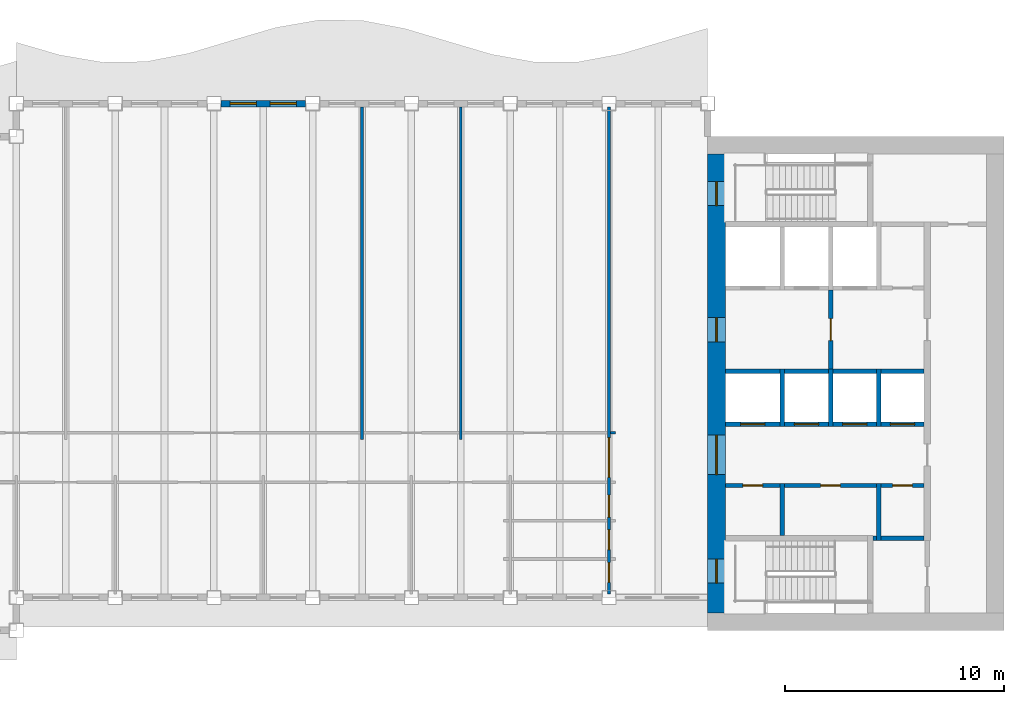
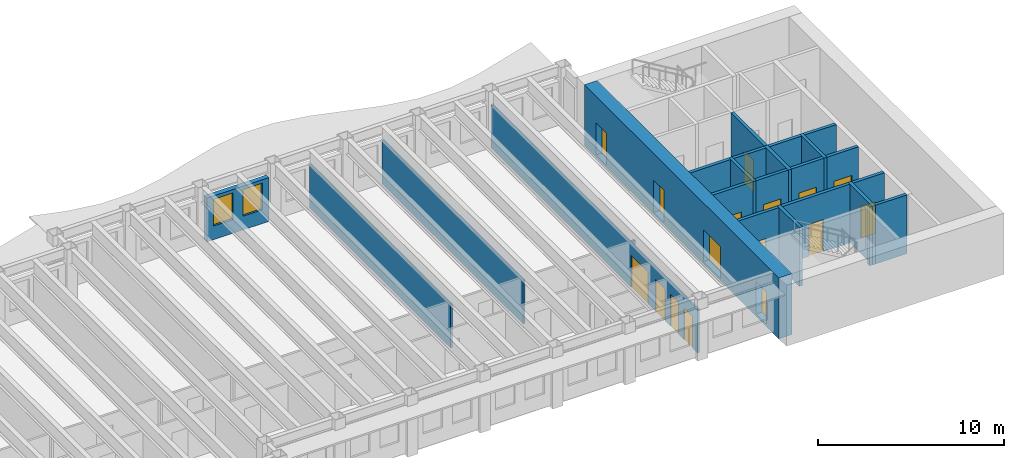
# One storey, part 5 of 12: 25 walls, 16 doors, 2 windows, 18 openings.
"""IFC4 building model written with IfcOpenShell, lengths in metres."""

from ifc_helpers import new_model, si_unit, direction, frame, frame_2d, origin, place, context, subcontext, project, spatial, rectangle, extrude, material, layer, layer_set, type_object, element, fill, save


model = new_model("IFC4")

# Units and contexts
model_context = context("Model", 3, precision=1e-05, world=origin(), true_north=direction((0.0, 1.0)))
body_context = subcontext(model_context, "Body", "Model", "MODEL_VIEW")
ifc_project = project(units=[si_unit("LENGTHUNIT", "METRE"), si_unit("AREAUNIT", "SQUARE_METRE"), si_unit("VOLUMEUNIT", "CUBIC_METRE"), si_unit("PLANEANGLEUNIT", "RADIAN"), si_unit("MASSUNIT", "GRAM", prefix="KILO")], contexts=[model_context])

# Site, building, storey
site_placement = place(None, origin())
site = spatial("IfcSite", under=ifc_project, at=site_placement, CompositionType="ELEMENT")
building_placement = place(site_placement, origin())
building = spatial("IfcBuilding", under=site, at=building_placement, Name="Sennacour Bend Tower", CompositionType="ELEMENT")
storey_placement = place(building_placement, frame((0.0, 0.0, 269.0)))
storey = spatial("IfcBuildingStorey", under=building, at=storey_placement, Name="L62", CompositionType="ELEMENT", Elevation=269.0)

# Wall, openings, doors
ifc_material_1 = material(Name="Concrete C50/60", Category="concrete")
ifc_layer_1 = layer(ifc_material_1, 0.800048828125, Name="Concrete C50/60", Category="concrete")
ifc_layer_set_1 = layer_set([ifc_layer_1], Name="Concrete C50/60")
wall_type_1 = type_object("IfcWallType", Name="Core wall 800 C50/60", PredefinedType="SHEAR", material=ifc_layer_set_1)
wall_1_placement = place(storey_placement, frame((54.39990234375, 0.800048828125, -0.14990234375), z_axis=(0.0, 0.0, 1.0), x_axis=(0.0, 1.0, 0.0)))
wall_1 = element("IfcWall", 1, at=wall_1_placement, inside=storey, type_object=wall_type_1, Name="Core A wall L62 W", PredefinedType="SHEAR", context=body_context, shape_type="SweptSolid", body=[
    extrude(rectangle(XDim=20.89990234375, YDim=0.800048828125, at=frame_2d((10.449951171875, 0.0))), origin(), (0.0, 0.0, 1.0), 4.0),
])
opening_1_placement = place(wall_1_placement, frame((6.300048828125, 0.0, 0.14990234375)))
opening_1 = element("IfcOpeningElement", 2, at=opening_1_placement, cuts=wall_1, Name="Opening CD", PredefinedType="OPENING", context=body_context, shape_type="SweptSolid", body=[
    extrude(rectangle(XDim=1.800048828125, YDim=2.10009765625, at=frame_2d((0.89990234375, 1.050048828125))), frame((0.0, 0.41015625, 0.0), z_axis=(0.0, -1.0, 0.0), x_axis=(1.0, 0.0, 0.0)), (0.0, 0.0, 1.0), 0.820068359375),
])
opening_2_placement = place(wall_1_placement, frame((12.35009765625, 0.0, 0.14990234375)))
opening_2 = element("IfcOpeningElement", 3, at=opening_2_placement, cuts=wall_1, Name="Opening FD", PredefinedType="OPENING", context=body_context, shape_type="SweptSolid", body=[
    extrude(rectangle(XDim=1.10009765625, YDim=2.10009765625, at=frame_2d((0.550048828125, 1.050048828125))), frame((0.0, 0.41015625, 0.0), z_axis=(0.0, -1.0, 0.0), x_axis=(1.0, 0.0, 0.0)), (0.0, 0.0, 1.0), 0.820068359375),
])
opening_3_placement = place(wall_1_placement, frame((1.35009765625, 0.0, 0.14990234375)))
opening_3 = element("IfcOpeningElement", 4, at=opening_3_placement, cuts=wall_1, Name="Opening SD", PredefinedType="OPENING", context=body_context, shape_type="SweptSolid", body=[
    extrude(rectangle(XDim=1.10009765625, YDim=2.10009765625, at=frame_2d((0.550048828125, 1.050048828125))), frame((0.0, 0.41015625, 0.0), z_axis=(0.0, -1.0, 0.0), x_axis=(1.0, 0.0, 0.0)), (0.0, 0.0, 1.0), 0.820068359375),
])
opening_4_placement = place(wall_1_placement, frame((18.550048828125, 0.0, 0.14990234375)))
opening_4 = element("IfcOpeningElement", 5, at=opening_4_placement, cuts=wall_1, Name="Opening SD", PredefinedType="OPENING", context=body_context, shape_type="SweptSolid", body=[
    extrude(rectangle(XDim=1.10009765625, YDim=2.10009765625, at=frame_2d((0.550048828125, 1.050048828125))), frame((0.0, 0.41015625, 0.0), z_axis=(0.0, -1.0, 0.0), x_axis=(1.0, 0.0, 0.0)), (0.0, 0.0, 1.0), 0.820068359375),
])
ifc_material_2 = material(Name="Painted steel", Category="steel")
door_type_1 = type_object("IfcDoorType", Name="DR-FFL-1100", OperationType="NOTDEFINED", PredefinedType="DOOR", material=ifc_material_2)
door_1_placement = place(opening_2_placement, origin())
door_1 = element("IfcDoor", 6, at=door_1_placement, inside=storey, type_object=door_type_1, Name="Door", OperationType="SINGLE_SWING_RIGHT", OverallHeight=2.10009765625, OverallWidth=1.10009765625, PredefinedType="DOOR", context=body_context, shape_type="SweptSolid", body=[
    extrude(rectangle(XDim=1.10009765625, YDim=2.10009765625, at=frame_2d((0.550048828125, 1.050048828125))), frame((0.0, 0.02490234375, 0.0), z_axis=(0.0, -1.0, 0.0), x_axis=(1.0, 0.0, 0.0)), (0.0, 0.0, 1.0), 0.050048828125),
])
fill(opening_2, door_1)
door_type_2 = type_object("IfcDoorType", Name="DR-LOBBY-1800", OperationType="NOTDEFINED", PredefinedType="DOOR", material=ifc_material_2)
door_2_placement = place(opening_1_placement, origin())
door_2 = element("IfcDoor", 7, at=door_2_placement, inside=storey, type_object=door_type_2, Name="Door", OperationType="DOUBLE_DOOR_SINGLE_SWING", OverallHeight=2.10009765625, OverallWidth=1.800048828125, PredefinedType="DOOR", context=body_context, shape_type="SweptSolid", body=[
    extrude(rectangle(XDim=1.800048828125, YDim=2.10009765625, at=frame_2d((0.89990234375, 1.050048828125))), frame((0.0, 0.02490234375, 0.0), z_axis=(0.0, -1.0, 0.0), x_axis=(1.0, 0.0, 0.0)), (0.0, 0.0, 1.0), 0.050048828125),
])
fill(opening_1, door_2)
door_type_3 = type_object("IfcDoorType", Name="DR-STAIR-1100", OperationType="NOTDEFINED", PredefinedType="DOOR", material=ifc_material_2)
door_3_placement = place(opening_3_placement, origin())
door_3 = element("IfcDoor", 8, at=door_3_placement, inside=storey, type_object=door_type_3, Name="Door", OperationType="SINGLE_SWING_LEFT", OverallHeight=2.10009765625, OverallWidth=1.10009765625, PredefinedType="DOOR", context=body_context, shape_type="SweptSolid", body=[
    extrude(rectangle(XDim=1.10009765625, YDim=2.10009765625, at=frame_2d((0.550048828125, 1.050048828125))), frame((0.0, 0.02490234375, 0.0), z_axis=(0.0, -1.0, 0.0), x_axis=(1.0, 0.0, 0.0)), (0.0, 0.0, 1.0), 0.050048828125),
])
fill(opening_3, door_3)
door_4_placement = place(opening_4_placement, origin())
door_4 = element("IfcDoor", 9, at=door_4_placement, inside=storey, type_object=door_type_3, Name="Door", OperationType="SINGLE_SWING_RIGHT", OverallHeight=2.10009765625, OverallWidth=1.10009765625, PredefinedType="DOOR", context=body_context, shape_type="SweptSolid", body=[
    extrude(rectangle(XDim=1.10009765625, YDim=2.10009765625, at=frame_2d((0.550048828125, 1.050048828125))), frame((0.0, 0.02490234375, 0.0), z_axis=(0.0, -1.0, 0.0), x_axis=(1.0, 0.0, 0.0)), (0.0, 0.0, 1.0), 0.050048828125),
])
fill(opening_4, door_4)

# Walls
ifc_material_3 = material(Name="Plasterboard partition on steel studs", Category="steel")
ifc_layer_2 = layer(ifc_material_3, 0.1201171875, Name="Plasterboard partition on steel studs", Category="steel")
ifc_layer_set_2 = layer_set([ifc_layer_2], Name="Plasterboard partition on steel studs")
wall_type_2 = type_object("IfcWallType", Name="Partition 120", PredefinedType="PARTITIONING", material=ifc_layer_set_2)
for number, where, z_axis, x_axis, name in (
    (10, (38.25, 8.699951171875, 0.0), (0.0, 0.0, 1.0), (0.0, 1.0, 0.0), "P-L62-W014a"),
    (11, (42.75, 8.699951171875, 0.0), (0.0, 0.0, 1.0), (0.0, 1.0, 0.0), "P-L62-W016a"),
):
    element("IfcWall", number, at=place(storey_placement, frame(where, z_axis=z_axis, x_axis=x_axis)), inside=storey, type_object=wall_type_2, Name=name, PredefinedType="PARTITIONING", context=body_context, shape_type="SweptSolid", body=[
        extrude(rectangle(XDim=15.150146484375, YDim=0.1201171875, at=frame_2d((7.5751953125, 0.0))), origin(), (0.0, 0.0, 1.0), 2.8701171875),
    ])
wall_2_placement = place(storey_placement, frame((49.56005859375, 9.0, 0.0), z_axis=(0.0, 0.0, 1.0), x_axis=(1.0, 0.0, 0.0)))
element("IfcWall", 12, at=wall_2_placement, inside=storey, type_object=wall_type_2, Name="P-L62-W044ag", PredefinedType="PARTITIONING", context=body_context, shape_type="SweptSolid", body=[
    extrude(rectangle(XDim=0.239990234375, YDim=0.1201171875, at=frame_2d((0.1201171875, 0.0))), origin(), (0.0, 0.0, 1.0), 2.8701171875),
])

# Wall, openings, doors
ifc_layer_3 = layer(ifc_material_3, 0.1201171875, Name="Plasterboard partition on steel studs", Category="steel")
ifc_layer_set_3 = layer_set([ifc_layer_3], Name="Plasterboard partition on steel studs")
wall_type_3 = type_object("IfcWallType", Name="Partition 120 EI 30", PredefinedType="PARTITIONING", material=ifc_layer_set_3)
wall_3_placement = place(storey_placement, frame((49.5, 1.64990234375, 0.0), z_axis=(0.0, 0.0, 1.0), x_axis=(0.0, 1.0, 0.0)))
wall_3 = element("IfcWall", 13, at=wall_3_placement, inside=storey, type_object=wall_type_3, Name="P-L62-W018a", PredefinedType="PARTITIONING", context=body_context, shape_type="SweptSolid", body=[
    extrude(rectangle(XDim=22.2001953125, YDim=0.1201171875, at=frame_2d((11.10009765625, 0.0))), origin(), (0.0, 0.0, 1.0), 2.8701171875),
])
opening_5_placement = place(wall_3_placement, frame((5.3251953125, 0.0, 0.0)))
opening_5 = element("IfcOpeningElement", 14, at=opening_5_placement, cuts=wall_3, Name="Opening KD3", PredefinedType="OPENING", context=body_context, shape_type="SweptSolid", body=[
    extrude(rectangle(XDim=1.800048828125, YDim=2.10009765625, at=frame_2d((0.89990234375, 1.050048828125))), frame((0.0, 0.070068359375, 0.0), z_axis=(0.0, -1.0, 0.0), x_axis=(1.0, 0.0, 0.0)), (0.0, 0.0, 1.0), 0.14013671875),
])
opening_6_placement = place(wall_3_placement, frame((0.5400390625, 0.0, 0.0)))
opening_6 = element("IfcOpeningElement", 15, at=opening_6_placement, cuts=wall_3, Name="Opening WD", PredefinedType="OPENING", context=body_context, shape_type="SweptSolid", body=[
    extrude(rectangle(XDim=0.89990234375, YDim=2.10009765625, at=frame_2d((0.449951171875, 1.050048828125))), frame((0.0, 0.070068359375, 0.0), z_axis=(0.0, -1.0, 0.0), x_axis=(1.0, 0.0, 0.0)), (0.0, 0.0, 1.0), 0.14013671875),
])
opening_7_placement = place(wall_3_placement, frame((2.025146484375, 0.0, 0.0)))
opening_7 = element("IfcOpeningElement", 16, at=opening_7_placement, cuts=wall_3, Name="Opening WD", PredefinedType="OPENING", context=body_context, shape_type="SweptSolid", body=[
    extrude(rectangle(XDim=0.89990234375, YDim=2.10009765625, at=frame_2d((0.449951171875, 1.050048828125))), frame((0.0, 0.070068359375, 0.0), z_axis=(0.0, -1.0, 0.0), x_axis=(1.0, 0.0, 0.0)), (0.0, 0.0, 1.0), 0.14013671875),
])
opening_8_placement = place(wall_3_placement, frame((3.510009765625, 0.0, 0.0)))
opening_8 = element("IfcOpeningElement", 17, at=opening_8_placement, cuts=wall_3, Name="Opening AD", PredefinedType="OPENING", context=body_context, shape_type="SweptSolid", body=[
    extrude(rectangle(XDim=1.0, YDim=2.10009765625, at=frame_2d((0.5, 1.050048828125))), frame((0.0, 0.070068359375, 0.0), z_axis=(0.0, -1.0, 0.0), x_axis=(1.0, 0.0, 0.0)), (0.0, 0.0, 1.0), 0.14013671875),
])
ifc_material_4 = material(Name="Timber", Category="wood")
door_type_4 = type_object("IfcDoorType", Name="DR-ACC-WC-1000", OperationType="NOTDEFINED", PredefinedType="DOOR", material=ifc_material_4)
door_5_placement = place(opening_8_placement, origin())
door_5 = element("IfcDoor", 18, at=door_5_placement, inside=storey, type_object=door_type_4, Name="Door", OperationType="SINGLE_SWING_LEFT", OverallHeight=2.10009765625, OverallWidth=1.0, PredefinedType="DOOR", context=body_context, shape_type="SweptSolid", body=[
    extrude(rectangle(XDim=1.0, YDim=2.10009765625, at=frame_2d((0.5, 1.050048828125))), frame((0.0, 0.02490234375, 0.0), z_axis=(0.0, -1.0, 0.0), x_axis=(1.0, 0.0, 0.0)), (0.0, 0.0, 1.0), 0.050048828125),
])
fill(opening_8, door_5)
door_type_5 = type_object("IfcDoorType", Name="DR-CORRIDOR-1800", OperationType="NOTDEFINED", PredefinedType="DOOR", material=ifc_material_2)
door_6_placement = place(opening_5_placement, origin())
door_6 = element("IfcDoor", 19, at=door_6_placement, inside=storey, type_object=door_type_5, Name="Door", OperationType="DOUBLE_DOOR_SINGLE_SWING", OverallHeight=2.10009765625, OverallWidth=1.800048828125, PredefinedType="DOOR", context=body_context, shape_type="SweptSolid", body=[
    extrude(rectangle(XDim=1.800048828125, YDim=2.10009765625, at=frame_2d((0.89990234375, 1.050048828125))), frame((0.0, 0.02490234375, 0.0), z_axis=(0.0, -1.0, 0.0), x_axis=(1.0, 0.0, 0.0)), (0.0, 0.0, 1.0), 0.050048828125),
])
fill(opening_5, door_6)
door_type_6 = type_object("IfcDoorType", Name="DR-WC-900", OperationType="NOTDEFINED", PredefinedType="DOOR", material=ifc_material_4)
door_7_placement = place(opening_6_placement, origin())
door_7 = element("IfcDoor", 20, at=door_7_placement, inside=storey, type_object=door_type_6, Name="Door", OperationType="SINGLE_SWING_LEFT", OverallHeight=2.10009765625, OverallWidth=0.89990234375, PredefinedType="DOOR", context=body_context, shape_type="SweptSolid", body=[
    extrude(rectangle(XDim=0.89990234375, YDim=2.10009765625, at=frame_2d((0.449951171875, 1.050048828125))), frame((0.0, 0.02490234375, 0.0), z_axis=(0.0, -1.0, 0.0), x_axis=(1.0, 0.0, 0.0)), (0.0, 0.0, 1.0), 0.050048828125),
])
fill(opening_6, door_7)
door_8_placement = place(opening_7_placement, origin())
door_8 = element("IfcDoor", 21, at=door_8_placement, inside=storey, type_object=door_type_6, Name="Door", OperationType="SINGLE_SWING_LEFT", OverallHeight=2.10009765625, OverallWidth=0.89990234375, PredefinedType="DOOR", context=body_context, shape_type="SweptSolid", body=[
    extrude(rectangle(XDim=0.89990234375, YDim=2.10009765625, at=frame_2d((0.449951171875, 1.050048828125))), frame((0.0, 0.02490234375, 0.0), z_axis=(0.0, -1.0, 0.0), x_axis=(1.0, 0.0, 0.0)), (0.0, 0.0, 1.0), 0.050048828125),
])
fill(opening_7, door_8)

# Walls
ifc_material_5 = material(Name="Fire-rated plasterboard partition on steel studs", Category="steel")
ifc_layer_4 = layer(ifc_material_5, 0.199951171875, Name="Fire-rated plasterboard partition on steel studs", Category="steel")
ifc_layer_set_4 = layer_set([ifc_layer_4], Name="Fire-rated plasterboard partition on steel studs")
wall_type_4 = type_object("IfcWallType", Name="Rated partition 200", PredefinedType="PARTITIONING", material=ifc_layer_set_4)
wall_4_placement = place(storey_placement, frame((57.39990234375, 4.324951171875, 0.0), z_axis=(0.0, 0.0, 1.0), x_axis=(0.0, 1.0, 0.0)))
element("IfcWall", 22, at=wall_4_placement, inside=storey, type_object=wall_type_4, Name="P-L62-W020", PredefinedType="PARTITIONING", context=body_context, shape_type="SweptSolid", body=[
    extrude(rectangle(XDim=2.375, YDim=0.199951171875, at=frame_2d((1.1875, 0.0))), origin(), (0.0, 0.0, 1.0), 3.85009765625),
])
wall_5_placement = place(storey_placement, frame((61.800048828125, 4.10009765625, 0.0), z_axis=(0.0, 0.0, 1.0), x_axis=(0.0, 1.0, 0.0)))
element("IfcWall", 23, at=wall_5_placement, inside=storey, type_object=wall_type_4, Name="P-L62-W028", PredefinedType="PARTITIONING", context=body_context, shape_type="SweptSolid", body=[
    extrude(rectangle(XDim=2.599853515625, YDim=0.199951171875, at=frame_2d((1.2998046875, 0.0))), origin(), (0.0, 0.0, 1.0), 3.85009765625),
])
wall_6_placement = place(storey_placement, frame((61.52490234375, 4.199951171875, 0.0), z_axis=(0.0, 0.0, 1.0), x_axis=(1.0, 0.0, 0.0)))
element("IfcWall", 24, at=wall_6_placement, inside=storey, type_object=wall_type_4, Name="P-L62-W040a", PredefinedType="PARTITIONING", context=body_context, shape_type="SweptSolid", body=[
    extrude(rectangle(XDim=0.175048828125, YDim=0.199951171875, at=frame_2d((0.08740234375, 0.0))), origin(), (0.0, 0.0, 1.0), 3.85009765625),
])
wall_7_placement = place(storey_placement, frame((61.89990234375, 4.199951171875, 0.0), z_axis=(0.0, 0.0, 1.0), x_axis=(1.0, 0.0, 0.0)))
element("IfcWall", 25, at=wall_7_placement, inside=storey, type_object=wall_type_4, Name="P-L62-W040b", PredefinedType="PARTITIONING", context=body_context, shape_type="SweptSolid", body=[
    extrude(rectangle(XDim=1.9501953125, YDim=0.199951171875, at=frame_2d((0.97509765625, 0.0))), origin(), (0.0, 0.0, 1.0), 3.85009765625),
])

# Wall, opening, door
wall_8_placement = place(storey_placement, frame((54.800048828125, 6.60009765625, 0.0), z_axis=(0.0, 0.0, 1.0), x_axis=(1.0, 0.0, 0.0)))
wall_8 = element("IfcWall", 26, at=wall_8_placement, inside=storey, type_object=wall_type_4, Name="P-L62-W042a", PredefinedType="PARTITIONING", context=body_context, shape_type="SweptSolid", body=[
    extrude(rectangle(XDim=2.5, YDim=0.199951171875, at=frame_2d((1.25, 0.0))), origin(), (0.0, 0.0, 1.0), 3.85009765625),
])
opening_9_placement = place(wall_8_placement, frame((0.800048828125, 0.0, 0.0)))
opening_9 = element("IfcOpeningElement", 27, at=opening_9_placement, cuts=wall_8, Name="Opening SV", PredefinedType="OPENING", context=body_context, shape_type="SweptSolid", body=[
    extrude(rectangle(XDim=0.89990234375, YDim=2.10009765625, at=frame_2d((0.449951171875, 1.050048828125))), frame((0.0, 0.10986328125, 0.0), z_axis=(0.0, -1.0, 0.0), x_axis=(1.0, 0.0, 0.0)), (0.0, 0.0, 1.0), 0.219970703125),
])
door_type_7 = type_object("IfcDoorType", Name="DR-SERVICE-900", OperationType="NOTDEFINED", PredefinedType="DOOR", material=ifc_material_2)
door_9_placement = place(opening_9_placement, origin())
door_9 = element("IfcDoor", 28, at=door_9_placement, inside=storey, type_object=door_type_7, Name="Door", OperationType="SINGLE_SWING_LEFT", OverallHeight=2.10009765625, OverallWidth=0.89990234375, PredefinedType="DOOR", context=body_context, shape_type="SweptSolid", body=[
    extrude(rectangle(XDim=0.89990234375, YDim=2.10009765625, at=frame_2d((0.449951171875, 1.050048828125))), frame((0.0, 0.02490234375, 0.0), z_axis=(0.0, -1.0, 0.0), x_axis=(1.0, 0.0, 0.0)), (0.0, 0.0, 1.0), 0.050048828125),
])
fill(opening_9, door_9)

wall_9_placement = place(storey_placement, frame((57.5, 6.60009765625, 0.0), z_axis=(0.0, 0.0, 1.0), x_axis=(1.0, 0.0, 0.0)))
wall_9 = element("IfcWall", 29, at=wall_9_placement, inside=storey, type_object=wall_type_4, Name="P-L62-W042b", PredefinedType="PARTITIONING", context=body_context, shape_type="SweptSolid", body=[
    extrude(rectangle(XDim=4.199951171875, YDim=0.199951171875, at=frame_2d((2.10009765625, 0.0))), origin(), (0.0, 0.0, 1.0), 3.85009765625),
])
opening_10_placement = place(wall_9_placement, frame((1.64990234375, 0.0, 0.0)))
opening_10 = element("IfcOpeningElement", 30, at=opening_10_placement, cuts=wall_9, Name="Opening WD", PredefinedType="OPENING", context=body_context, shape_type="SweptSolid", body=[
    extrude(rectangle(XDim=0.89990234375, YDim=2.10009765625, at=frame_2d((0.449951171875, 1.050048828125))), frame((0.0, 0.10986328125, 0.0), z_axis=(0.0, -1.0, 0.0), x_axis=(1.0, 0.0, 0.0)), (0.0, 0.0, 1.0), 0.219970703125),
])
door_10_placement = place(opening_10_placement, origin())
door_10 = element("IfcDoor", 31, at=door_10_placement, inside=storey, type_object=door_type_6, Name="Door", OperationType="SINGLE_SWING_RIGHT", OverallHeight=2.10009765625, OverallWidth=0.89990234375, PredefinedType="DOOR", context=body_context, shape_type="SweptSolid", body=[
    extrude(rectangle(XDim=0.89990234375, YDim=2.10009765625, at=frame_2d((0.449951171875, 1.050048828125))), frame((0.0, 0.02490234375, 0.0), z_axis=(0.0, -1.0, 0.0), x_axis=(1.0, 0.0, 0.0)), (0.0, 0.0, 1.0), 0.050048828125),
])
fill(opening_10, door_10)

wall_10_placement = place(storey_placement, frame((61.89990234375, 6.60009765625, 0.0), z_axis=(0.0, 0.0, 1.0), x_axis=(1.0, 0.0, 0.0)))
wall_10 = element("IfcWall", 32, at=wall_10_placement, inside=storey, type_object=wall_type_4, Name="P-L62-W042c", PredefinedType="PARTITIONING", context=body_context, shape_type="SweptSolid", body=[
    extrude(rectangle(XDim=1.9501953125, YDim=0.199951171875, at=frame_2d((0.97509765625, 0.0))), origin(), (0.0, 0.0, 1.0), 3.85009765625),
])
opening_11_placement = place(wall_10_placement, frame((0.525146484375, 0.0, 0.0)))
opening_11 = element("IfcOpeningElement", 33, at=opening_11_placement, cuts=wall_10, Name="Opening SV", PredefinedType="OPENING", context=body_context, shape_type="SweptSolid", body=[
    extrude(rectangle(XDim=0.89990234375, YDim=2.10009765625, at=frame_2d((0.449951171875, 1.050048828125))), frame((0.0, 0.10986328125, 0.0), z_axis=(0.0, -1.0, 0.0), x_axis=(1.0, 0.0, 0.0)), (0.0, 0.0, 1.0), 0.219970703125),
])
door_11_placement = place(opening_11_placement, origin())
door_11 = element("IfcDoor", 34, at=door_11_placement, inside=storey, type_object=door_type_7, Name="Door", OperationType="SINGLE_SWING_LEFT", OverallHeight=2.10009765625, OverallWidth=0.89990234375, PredefinedType="DOOR", context=body_context, shape_type="SweptSolid", body=[
    extrude(rectangle(XDim=0.89990234375, YDim=2.10009765625, at=frame_2d((0.449951171875, 1.050048828125))), frame((0.0, 0.02490234375, 0.0), z_axis=(0.0, -1.0, 0.0), x_axis=(1.0, 0.0, 0.0)), (0.0, 0.0, 1.0), 0.050048828125),
])
fill(opening_11, door_11)

ifc_layer_5 = layer(ifc_material_5, 0.199951171875, Name="Fire-rated plasterboard partition on steel studs", Category="steel")
ifc_layer_set_5 = layer_set([ifc_layer_5], Name="Fire-rated plasterboard partition on steel studs")
wall_type_5 = type_object("IfcWallType", Name="Rated partition 200 EI 90", PredefinedType="PARTITIONING", material=ifc_layer_set_5)
wall_11_placement = place(storey_placement, frame((59.60009765625, 11.89990234375, 0.0), z_axis=(0.0, 0.0, 1.0), x_axis=(0.0, 1.0, 0.0)))
wall_11 = element("IfcWall", 35, at=wall_11_placement, inside=storey, type_object=wall_type_5, Name="P-L62-W024", PredefinedType="PARTITIONING", context=body_context, shape_type="SweptSolid", body=[
    extrude(rectangle(XDim=3.60009765625, YDim=0.199951171875, at=frame_2d((1.800048828125, 0.0))), origin(), (0.0, 0.0, 1.0), 3.85009765625),
])
opening_12_placement = place(wall_11_placement, frame((1.300048828125, 0.0, 0.0)))
opening_12 = element("IfcOpeningElement", 36, at=opening_12_placement, cuts=wall_11, Name="Opening FD2", PredefinedType="OPENING", context=body_context, shape_type="SweptSolid", body=[
    extrude(rectangle(XDim=1.0, YDim=2.10009765625, at=frame_2d((0.5, 1.050048828125))), frame((0.0, 0.10986328125, 0.0), z_axis=(0.0, -1.0, 0.0), x_axis=(1.0, 0.0, 0.0)), (0.0, 0.0, 1.0), 0.219970703125),
])
door_type_8 = type_object("IfcDoorType", Name="DR-FFL-1000", OperationType="NOTDEFINED", PredefinedType="DOOR", material=ifc_material_2)
door_12_placement = place(opening_12_placement, origin())
door_12 = element("IfcDoor", 37, at=door_12_placement, inside=storey, type_object=door_type_8, Name="Door", OperationType="SINGLE_SWING_LEFT", OverallHeight=2.10009765625, OverallWidth=1.0, PredefinedType="DOOR", context=body_context, shape_type="SweptSolid", body=[
    extrude(rectangle(XDim=1.0, YDim=2.10009765625, at=frame_2d((0.5, 1.050048828125))), frame((0.0, 0.02490234375, 0.0), z_axis=(0.0, -1.0, 0.0), x_axis=(1.0, 0.0, 0.0)), (0.0, 0.0, 1.0), 0.050048828125),
])
fill(opening_12, door_12)

# Wall, openings, windows
ifc_material_6 = material(Name="Warm limestone cladding", Category="masonry")
ifc_layer_6 = layer(ifc_material_6, 0.050048828125, Name="Warm limestone cladding", Category="masonry")
ifc_material_7 = material(Name="Precast concrete C40/50", Category="concrete")
ifc_layer_7 = layer(ifc_material_7, 0.25, Name="Precast concrete C40/50", Category="concrete")
ifc_layer_set_6 = layer_set([ifc_layer_6, ifc_layer_7], Name="Precast concrete C40/50 with limestone cladding")
wall_type_6 = type_object("IfcWallType", Name="STONE-CLAD PRECAST SPANDREL 300", PredefinedType="STANDARD", material=ifc_layer_set_6)
wall_12_placement = place(storey_placement, frame((35.675048828125, 24.0, 0.0), z_axis=(0.0, 0.0, 1.0), x_axis=(-1.0, 0.0, 0.0)))
wall_12 = element("IfcWall", 38, at=wall_12_placement, inside=storey, type_object=wall_type_6, Name="Stone spandrel and pier wall L62 07.04", PredefinedType="STANDARD", context=body_context, shape_type="SweptSolid", body=[
    extrude(rectangle(XDim=3.85009765625, YDim=0.300048828125, at=frame_2d((1.925048828125, 0.0))), origin(), (0.0, 0.0, 1.0), 2.8701171875),
])
opening_13_placement = place(wall_12_placement, frame((0.41259765625, 0.0, 0.89990234375)))
opening_13 = element("IfcOpeningElement", 39, at=opening_13_placement, cuts=wall_12, Name="Opening W16", PredefinedType="OPENING", context=body_context, shape_type="SweptSolid", body=[
    extrude(rectangle(XDim=1.199951171875, YDim=1.75, at=frame_2d((0.60009765625, 0.875))), frame((0.0, 0.16015625, 0.0), z_axis=(0.0, -1.0, 0.0), x_axis=(1.0, 0.0, 0.0)), (0.0, 0.0, 1.0), 0.320068359375),
])
opening_14_placement = place(wall_12_placement, frame((2.237548828125, 0.0, 0.89990234375)))
opening_14 = element("IfcOpeningElement", 40, at=opening_14_placement, cuts=wall_12, Name="Opening W16", PredefinedType="OPENING", context=body_context, shape_type="SweptSolid", body=[
    extrude(rectangle(XDim=1.199951171875, YDim=1.75, at=frame_2d((0.60009765625, 0.875))), frame((0.0, 0.16015625, 0.0), z_axis=(0.0, -1.0, 0.0), x_axis=(1.0, 0.0, 0.0)), (0.0, 0.0, 1.0), 0.320068359375),
])
ifc_material_8 = material(Name="Clear low-emissivity glass", Category="glass")
window_type = type_object("IfcWindowType", Name="WIN-RIBBON-1200x1750", PartitioningType="SINGLE_PANEL", PredefinedType="WINDOW", material=ifc_material_8)
window_1_placement = place(opening_13_placement, origin())
window_1 = element("IfcWindow", 41, at=window_1_placement, inside=storey, type_object=window_type, Name="Ribbon window L62 07.04.0", OverallHeight=1.75, OverallWidth=1.199951171875, PartitioningType="SINGLE_PANEL", PredefinedType="WINDOW", context=body_context, shape_type="SweptSolid", body=[
    extrude(rectangle(XDim=1.199951171875, YDim=1.75, at=frame_2d((0.60009765625, 0.875))), frame((0.0, 0.030029296875, 0.0), z_axis=(0.0, -1.0, 0.0), x_axis=(1.0, 0.0, 0.0)), (0.0, 0.0, 1.0), 0.06005859375),
])
fill(opening_13, window_1)
window_2_placement = place(opening_14_placement, origin())
window_2 = element("IfcWindow", 42, at=window_2_placement, inside=storey, type_object=window_type, Name="Ribbon window L62 07.04.1", OverallHeight=1.75, OverallWidth=1.199951171875, PartitioningType="SINGLE_PANEL", PredefinedType="WINDOW", context=body_context, shape_type="SweptSolid", body=[
    extrude(rectangle(XDim=1.199951171875, YDim=1.75, at=frame_2d((0.60009765625, 0.875))), frame((0.0, 0.030029296875, 0.0), z_axis=(0.0, -1.0, 0.0), x_axis=(1.0, 0.0, 0.0)), (0.0, 0.0, 1.0), 0.06005859375),
])
fill(opening_14, window_2)

# Walls
ifc_layer_8 = layer(ifc_material_1, 0.199951171875, Name="Concrete C50/60", Category="concrete")
ifc_layer_set_7 = layer_set([ifc_layer_8], Name="Concrete C50/60")
wall_type_7 = type_object("IfcWallType", Name="Shaft wall 200", PredefinedType="SOLIDWALL", material=ifc_layer_set_7)
for number, where, z_axis, x_axis, name in (
    (43, (57.39990234375, 9.300048828125, 0.0), (0.0, 0.0, 1.0), (0.0, 1.0, 0.0), "P-L62-W021"),
    (44, (59.60009765625, 9.300048828125, 0.0), (0.0, 0.0, 1.0), (0.0, 1.0, 0.0), "P-L62-W023"),
    (45, (61.800048828125, 9.300048828125, 0.0), (0.0, 0.0, 1.0), (0.0, 1.0, 0.0), "P-L62-W029"),
):
    element("IfcWall", number, at=place(storey_placement, frame(where, z_axis=z_axis, x_axis=x_axis)), inside=storey, type_object=wall_type_7, Name=name, PredefinedType="SOLIDWALL", context=body_context, shape_type="SweptSolid", body=[
        extrude(rectangle(XDim=2.599853515625, YDim=0.199951171875, at=frame_2d((1.2998046875, 0.0))), origin(), (0.0, 0.0, 1.0), 3.85009765625),
    ])

# Wall, opening, door
wall_13_placement = place(storey_placement, frame((54.800048828125, 9.39990234375, 0.0), z_axis=(0.0, 0.0, 1.0), x_axis=(1.0, 0.0, 0.0)))
wall_13 = element("IfcWall", 46, at=wall_13_placement, inside=storey, type_object=wall_type_7, Name="P-L62-W045a", PredefinedType="SOLIDWALL", context=body_context, shape_type="SweptSolid", body=[
    extrude(rectangle(XDim=2.5, YDim=0.199951171875, at=frame_2d((1.25, 0.0))), origin(), (0.0, 0.0, 1.0), 3.85009765625),
])
opening_15_placement = place(wall_13_placement, frame((0.699951171875, 0.0, 0.011962890625)))
opening_15 = element("IfcOpeningElement", 47, at=opening_15_placement, cuts=wall_13, Name="Opening LD", PredefinedType="OPENING", context=body_context, shape_type="SweptSolid", body=[
    extrude(rectangle(XDim=1.10009765625, YDim=2.10009765625, at=frame_2d((0.550048828125, 1.050048828125))), frame((0.0, 0.10986328125, 0.0), z_axis=(0.0, -1.0, 0.0), x_axis=(1.0, 0.0, 0.0)), (0.0, 0.0, 1.0), 0.219970703125),
])
ifc_material_9 = material(Name="Stainless steel", Category="steel")
door_type_9 = type_object("IfcDoorType", Name="DR-LANDING-1100", OperationType="NOTDEFINED", PredefinedType="DOOR", material=ifc_material_9)
door_13_placement = place(opening_15_placement, origin())
door_13 = element("IfcDoor", 48, at=door_13_placement, inside=storey, type_object=door_type_9, Name="Lift landing door HA1", OperationType="SLIDING_TO_LEFT", OverallHeight=2.10009765625, OverallWidth=1.10009765625, PredefinedType="DOOR", context=body_context, shape_type="SweptSolid", body=[
    extrude(rectangle(XDim=1.10009765625, YDim=2.10009765625, at=frame_2d((0.550048828125, 1.050048828125))), frame((0.0, 0.02490234375, 0.0), z_axis=(0.0, -1.0, 0.0), x_axis=(1.0, 0.0, 0.0)), (0.0, 0.0, 1.0), 0.050048828125),
])
fill(opening_15, door_13)

wall_14_placement = place(storey_placement, frame((57.5, 9.39990234375, 0.0), z_axis=(0.0, 0.0, 1.0), x_axis=(1.0, 0.0, 0.0)))
wall_14 = element("IfcWall", 49, at=wall_14_placement, inside=storey, type_object=wall_type_7, Name="P-L62-W045b", PredefinedType="SOLIDWALL", context=body_context, shape_type="SweptSolid", body=[
    extrude(rectangle(XDim=2.0, YDim=0.199951171875, at=frame_2d((1.0, 0.0))), origin(), (0.0, 0.0, 1.0), 3.85009765625),
])
opening_16_placement = place(wall_14_placement, frame((0.449951171875, 0.0, 0.011962890625)))
opening_16 = element("IfcOpeningElement", 50, at=opening_16_placement, cuts=wall_14, Name="Opening LD", PredefinedType="OPENING", context=body_context, shape_type="SweptSolid", body=[
    extrude(rectangle(XDim=1.10009765625, YDim=2.10009765625, at=frame_2d((0.550048828125, 1.050048828125))), frame((0.0, 0.10986328125, 0.0), z_axis=(0.0, -1.0, 0.0), x_axis=(1.0, 0.0, 0.0)), (0.0, 0.0, 1.0), 0.219970703125),
])
door_14_placement = place(opening_16_placement, origin())
door_14 = element("IfcDoor", 51, at=door_14_placement, inside=storey, type_object=door_type_9, Name="Lift landing door HA2", OperationType="SLIDING_TO_RIGHT", OverallHeight=2.10009765625, OverallWidth=1.10009765625, PredefinedType="DOOR", context=body_context, shape_type="SweptSolid", body=[
    extrude(rectangle(XDim=1.10009765625, YDim=2.10009765625, at=frame_2d((0.550048828125, 1.050048828125))), frame((0.0, 0.02490234375, 0.0), z_axis=(0.0, -1.0, 0.0), x_axis=(1.0, 0.0, 0.0)), (0.0, 0.0, 1.0), 0.050048828125),
])
fill(opening_16, door_14)

wall_15_placement = place(storey_placement, frame((59.699951171875, 9.39990234375, 0.0), z_axis=(0.0, 0.0, 1.0), x_axis=(1.0, 0.0, 0.0)))
wall_15 = element("IfcWall", 52, at=wall_15_placement, inside=storey, type_object=wall_type_7, Name="P-L62-W045c", PredefinedType="SOLIDWALL", context=body_context, shape_type="SweptSolid", body=[
    extrude(rectangle(XDim=2.0, YDim=0.199951171875, at=frame_2d((1.0, 0.0))), origin(), (0.0, 0.0, 1.0), 3.85009765625),
])
opening_17_placement = place(wall_15_placement, frame((0.449951171875, 0.0, 0.011962890625)))
opening_17 = element("IfcOpeningElement", 53, at=opening_17_placement, cuts=wall_15, Name="Opening LD", PredefinedType="OPENING", context=body_context, shape_type="SweptSolid", body=[
    extrude(rectangle(XDim=1.10009765625, YDim=2.10009765625, at=frame_2d((0.550048828125, 1.050048828125))), frame((0.0, 0.10986328125, 0.0), z_axis=(0.0, -1.0, 0.0), x_axis=(1.0, 0.0, 0.0)), (0.0, 0.0, 1.0), 0.219970703125),
])
door_15_placement = place(opening_17_placement, origin())
door_15 = element("IfcDoor", 54, at=door_15_placement, inside=storey, type_object=door_type_9, Name="Lift landing door HA3", OperationType="SLIDING_TO_LEFT", OverallHeight=2.10009765625, OverallWidth=1.10009765625, PredefinedType="DOOR", context=body_context, shape_type="SweptSolid", body=[
    extrude(rectangle(XDim=1.10009765625, YDim=2.10009765625, at=frame_2d((0.550048828125, 1.050048828125))), frame((0.0, 0.02490234375, 0.0), z_axis=(0.0, -1.0, 0.0), x_axis=(1.0, 0.0, 0.0)), (0.0, 0.0, 1.0), 0.050048828125),
])
fill(opening_17, door_15)

wall_16_placement = place(storey_placement, frame((61.89990234375, 9.39990234375, 0.0), z_axis=(0.0, 0.0, 1.0), x_axis=(1.0, 0.0, 0.0)))
wall_16 = element("IfcWall", 55, at=wall_16_placement, inside=storey, type_object=wall_type_7, Name="P-L62-W045d", PredefinedType="SOLIDWALL", context=body_context, shape_type="SweptSolid", body=[
    extrude(rectangle(XDim=1.9501953125, YDim=0.199951171875, at=frame_2d((0.97509765625, 0.0))), origin(), (0.0, 0.0, 1.0), 3.85009765625),
])
opening_18_placement = place(wall_16_placement, frame((0.425048828125, 0.0, 0.011962890625)))
opening_18 = element("IfcOpeningElement", 56, at=opening_18_placement, cuts=wall_16, Name="Opening LD", PredefinedType="OPENING", context=body_context, shape_type="SweptSolid", body=[
    extrude(rectangle(XDim=1.10009765625, YDim=2.10009765625, at=frame_2d((0.550048828125, 1.050048828125))), frame((0.0, 0.10986328125, 0.0), z_axis=(0.0, -1.0, 0.0), x_axis=(1.0, 0.0, 0.0)), (0.0, 0.0, 1.0), 0.219970703125),
])
door_16_placement = place(opening_18_placement, origin())
door_16 = element("IfcDoor", 57, at=door_16_placement, inside=storey, type_object=door_type_9, Name="Lift landing door HA4", OperationType="SLIDING_TO_RIGHT", OverallHeight=2.10009765625, OverallWidth=1.10009765625, PredefinedType="DOOR", context=body_context, shape_type="SweptSolid", body=[
    extrude(rectangle(XDim=1.10009765625, YDim=2.10009765625, at=frame_2d((0.550048828125, 1.050048828125))), frame((0.0, 0.02490234375, 0.0), z_axis=(0.0, -1.0, 0.0), x_axis=(1.0, 0.0, 0.0)), (0.0, 0.0, 1.0), 0.050048828125),
])
fill(opening_18, door_16)

# Walls
wall_17_placement = place(storey_placement, frame((54.800048828125, 11.800048828125, 0.0), z_axis=(0.0, 0.0, 1.0), x_axis=(1.0, 0.0, 0.0)))
element("IfcWall", 58, at=wall_17_placement, inside=storey, type_object=wall_type_7, Name="P-L62-W046a", PredefinedType="SOLIDWALL", context=body_context, shape_type="SweptSolid", body=[
    extrude(rectangle(XDim=2.5, YDim=0.199951171875, at=frame_2d((1.25, 0.0))), origin(), (0.0, 0.0, 1.0), 3.85009765625),
])
for number, where, z_axis, x_axis, name in (
    (59, (57.5, 11.800048828125, 0.0), (0.0, 0.0, 1.0), (1.0, 0.0, 0.0), "P-L62-W046b"),
    (60, (59.699951171875, 11.800048828125, 0.0), (0.0, 0.0, 1.0), (1.0, 0.0, 0.0), "P-L62-W046c"),
):
    element("IfcWall", number, at=place(storey_placement, frame(where, z_axis=z_axis, x_axis=x_axis)), inside=storey, type_object=wall_type_7, Name=name, PredefinedType="SOLIDWALL", context=body_context, shape_type="SweptSolid", body=[
        extrude(rectangle(XDim=2.0, YDim=0.199951171875, at=frame_2d((1.0, 0.0))), origin(), (0.0, 0.0, 1.0), 3.85009765625),
    ])
wall_18_placement = place(storey_placement, frame((61.89990234375, 11.800048828125, 0.0), z_axis=(0.0, 0.0, 1.0), x_axis=(1.0, 0.0, 0.0)))
element("IfcWall", 61, at=wall_18_placement, inside=storey, type_object=wall_type_7, Name="P-L62-W046d", PredefinedType="SOLIDWALL", context=body_context, shape_type="SweptSolid", body=[
    extrude(rectangle(XDim=1.9501953125, YDim=0.199951171875, at=frame_2d((0.97509765625, 0.0))), origin(), (0.0, 0.0, 1.0), 3.85009765625),
])

save(model, "model.ifc")
